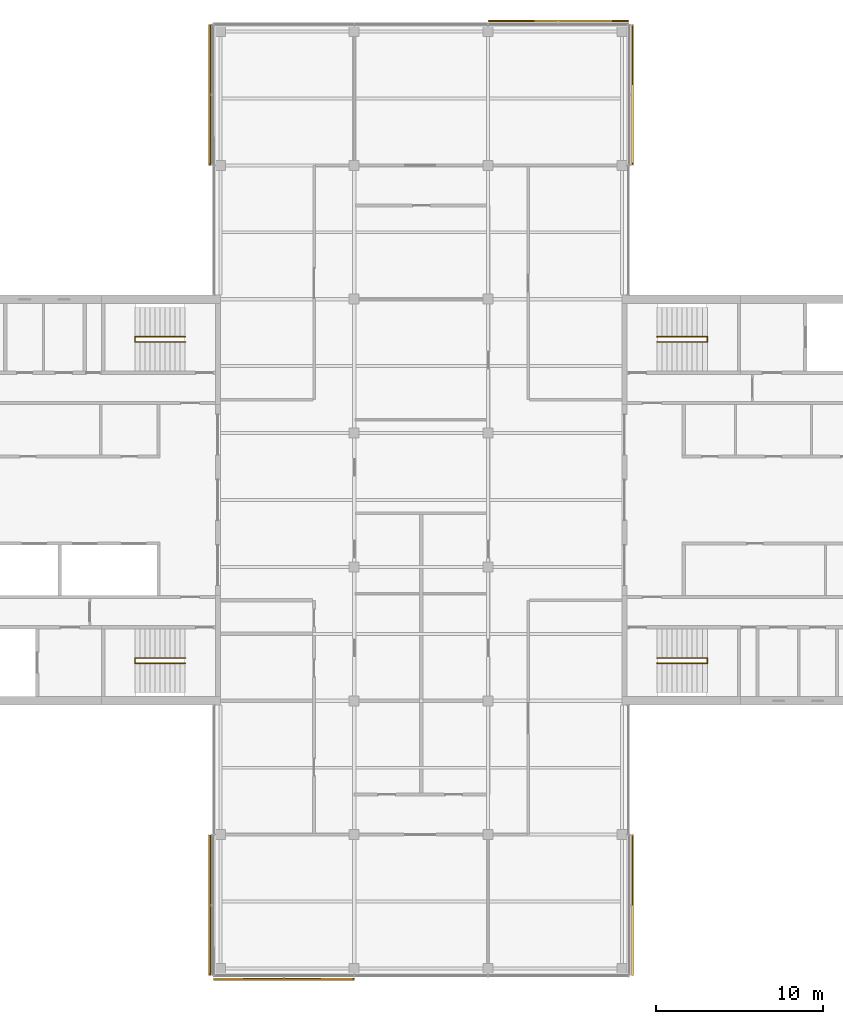
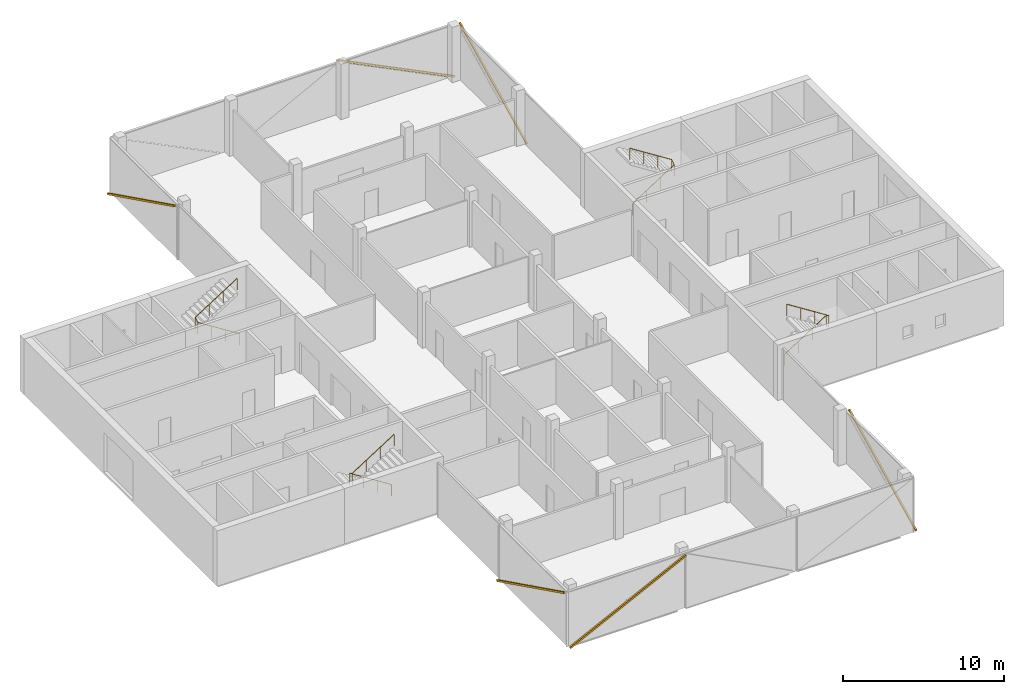
# One storey, part 15 of 15: 6 shading devices, 4 railings, 6 elements without a shape of their own.
"""IFC4 building model written with IfcOpenShell, lengths in metres."""

import ifcopenshell
import ifcopenshell.guid

model = None  # the IFC model being written
_history = None  # IfcOwnerHistory: only IFC2X3 demands one
_inside = {}  # id of a spatial element -> (the spatial element, [elements in it])
_under = {}  # id of a project, library or spatial element -> (it, [spatial elements below it])
_declared = {}  # id of a project -> (the project, [libraries it declares])
_typed = {}  # id of a type object -> (the type object, [elements of that type])
_made_of = {}  # id of a material, layer set ... -> (it, [elements and type objects made of it])


def new_model(schema):
    """Start an empty IFC model of exactly this schema.

    Asked for "IFC4X3", IfcOpenShell would pick the latest addendum, in which some entities
    have other attributes; the version numbers below select the first issue.
    IFC2X3 requires an IfcOwnerHistory on every rooted entity: one is made here for all.
    """
    global model, _history
    if schema == "IFC4X3":
        model = ifcopenshell.file(schema_version=(4, 3, 0, 0))
    else:
        model = ifcopenshell.file(schema=schema)
    _inside.clear()
    _under.clear()
    _declared.clear()
    _typed.clear()
    _made_of.clear()
    _history = None
    if model.schema == "IFC2X3":
        org = make("IfcOrganization", Name="unknown")
        user = make(
            "IfcPersonAndOrganization",
            ThePerson=make("IfcPerson", FamilyName="unknown"),
            TheOrganization=org,
        )
        app = make(
            "IfcApplication",
            ApplicationDeveloper=org,
            Version="unknown",
            ApplicationFullName="unknown",
            ApplicationIdentifier="unknown",
        )
        _history = make(
            "IfcOwnerHistory",
            OwningUser=user,
            OwningApplication=app,
            ChangeAction="ADDED",
            CreationDate=0,
        )
    return model


def make(cls, **values):
    """One entity of the class cls with the attributes given. An attribute that is None is left unset."""
    return model.create_entity(
        cls, **{name: value for name, value in values.items() if value is not None}
    )


def rooted(cls, **values):
    """An entity with a GlobalId (a new one), such as an element, a storey or a relation."""
    return make(cls, GlobalId=ifcopenshell.guid.new(), OwnerHistory=_history, **values)


def si_unit(unit_type, name, prefix=None):
    """IfcSIUnit, for example si_unit("LENGTHUNIT", "METRE", prefix="MILLI")."""
    return make("IfcSIUnit", UnitType=unit_type, Prefix=prefix, Name=name)


def assignment(units):
    """IfcUnitAssignment: the units of a project."""
    return None if units is None else make("IfcUnitAssignment", Units=units)


def point(xyz):
    """IfcCartesianPoint."""
    return None if xyz is None else make("IfcCartesianPoint", Coordinates=xyz)


def direction(xyz):
    """IfcDirection."""
    return None if xyz is None else make("IfcDirection", DirectionRatios=xyz)


def frame(location, z_axis=None, x_axis=None):
    """IfcAxis2Placement3D, a coordinate frame: its origin and axes. An axis left out is left unset."""
    return make(
        "IfcAxis2Placement3D",
        Location=point(location),
        Axis=direction(z_axis),
        RefDirection=direction(x_axis),
    )


def frame_2d(location, x_axis=None):
    """IfcAxis2Placement2D, a coordinate frame in the plane: its origin and x axis."""
    return make(
        "IfcAxis2Placement2D", Location=point(location), RefDirection=direction(x_axis)
    )


def origin():
    """The frame at (0, 0, 0) with its axes left unset."""
    return frame((0.0, 0.0, 0.0))


def origin_2d():
    """The frame at (0, 0) in the plane with its x axis left unset."""
    return frame_2d((0.0, 0.0))


def place(relative_to, where):
    """IfcLocalPlacement: puts the frame where relative to a parent placement (None: the world)."""
    return make(
        "IfcLocalPlacement", PlacementRelTo=relative_to, RelativePlacement=where
    )


def context(
    kind, dimensions, precision=None, world=None, true_north=None, identifier=None
):
    """IfcGeometricRepresentationContext, for example the 3D "Model" context."""
    return make(
        "IfcGeometricRepresentationContext",
        ContextIdentifier=identifier,
        ContextType=kind,
        CoordinateSpaceDimension=dimensions,
        Precision=precision,
        WorldCoordinateSystem=world,
        TrueNorth=true_north,
    )


def subcontext(parent, identifier, kind, view, scale=None):
    """IfcGeometricRepresentationSubContext, for example "Body" below "Model"."""
    return make(
        "IfcGeometricRepresentationSubContext",
        ContextIdentifier=identifier,
        ContextType=kind,
        ParentContext=parent,
        TargetScale=scale,
        TargetView=view,
    )


def project(units=None, contexts=None):
    """IfcProject with its units and contexts."""
    return rooted(
        "IfcProject",
        Name="project",
        RepresentationContexts=contexts,
        UnitsInContext=assignment(units),
    )


def spatial(cls, under=None, at=None, **own):
    """A site, building, storey or space (cls), placed at a placement, below another one or the project."""
    s = rooted(cls, ObjectPlacement=at, **own)
    if under is not None:
        _under.setdefault(under.id(), (under, []))[1].append(s)
    return s


def profile(cls, at=None, kind="AREA", **sizes):
    """A parametric profile (cls). Its sizes go by their IFC names, for example OverallWidth=200.0."""
    return make(cls, ProfileType=kind, Position=at, **sizes)


def rectangle(**sizes):
    """IfcRectangleProfileDef."""
    return profile("IfcRectangleProfileDef", **sizes)


def circle(**sizes):
    """IfcCircleProfileDef."""
    return profile("IfcCircleProfileDef", **sizes)


def extrude(swept, where, along, depth):
    """IfcExtrudedAreaSolid: the profile swept, set in the frame where, extruded along a direction by depth."""
    return make(
        "IfcExtrudedAreaSolid",
        SweptArea=swept,
        Position=where,
        ExtrudedDirection=direction(along),
        Depth=depth,
    )


def shape(context_of_items, identifier, shape_type, items):
    """IfcShapeRepresentation: the items that make up one representation, for example the "Body"."""
    return make(
        "IfcShapeRepresentation",
        ContextOfItems=context_of_items,
        RepresentationIdentifier=identifier,
        RepresentationType=shape_type,
        Items=items,
    )


def material(Name=None, Category=None):
    """IfcMaterial."""
    return make("IfcMaterial", Name=Name, Category=Category)


def material_profile(
    of_material, cross_section, Name=None, Category=None, Priority=None
):
    """IfcMaterialProfile: a cross section and its material."""
    return make(
        "IfcMaterialProfile",
        Name=Name,
        Material=of_material,
        Profile=cross_section,
        Priority=Priority,
        Category=Category,
    )


def profile_set(profiles, Name=None, composite=None):
    """IfcMaterialProfileSet."""
    return make(
        "IfcMaterialProfileSet",
        Name=Name,
        MaterialProfiles=profiles,
        CompositeProfile=composite,
    )


def made_of(thing, what):
    """Note that an element or type object is made of a material, layer set ...; save() writes the relation."""
    if what is not None:
        _made_of.setdefault(what.id(), (what, []))[1].append(thing)
    return thing


def type_object(cls, material=None, **own):
    """A type object (cls), such as IfcWallType, which elements share."""
    return made_of(rooted(cls, **own), material)


def element(
    cls,
    number,
    at=None,
    inside=None,
    cuts=None,
    type_object=None,
    material=None,
    context=None,
    identifier="Body",
    shape_type=None,
    held_by="IfcProductDefinitionShape",
    body=None,
    shapes=None,
    **own,
):
    """One element of the class cls, such as IfcWall. Its Tag is "e" and its number.

    at: its placement. inside: the storey or other place that contains it. cuts: it is an
    opening in that element (IfcRelVoidsElement). A single representation is given by context,
    identifier, shape_type and body (its items); several are given by shapes. held_by: the class
    of the entity that holds the representations. save() writes the other relations.
    """
    e = rooted(cls, Tag="e%d" % number, ObjectPlacement=at, **own)
    if body is not None:
        shapes = [shape(context, identifier, shape_type, body)]
    if shapes is not None:
        e.Representation = make(held_by, Representations=shapes)
    if inside is not None:
        _inside.setdefault(inside.id(), (inside, []))[1].append(e)
    if cuts is not None:
        rooted(
            "IfcRelVoidsElement", RelatingBuildingElement=cuts, RelatedOpeningElement=e
        )
    if type_object is not None:
        _typed.setdefault(type_object.id(), (type_object, []))[1].append(e)
    return made_of(e, material)


def aggregate(whole, parts):
    """IfcRelAggregates: a whole, such as a stair, and the parts it consists of."""
    return rooted("IfcRelAggregates", RelatingObject=whole, RelatedObjects=parts)


def save(model, path):
    """Write the relations noted so far, then the file.

    IfcRelAggregates (storeys below a building ...), IfcRelContainedInSpatialStructure (elements
    in a storey), IfcRelDefinesByType, IfcRelAssociatesMaterial and IfcRelDeclares: one each for
    every whole, place, type object, material and project.
    """
    for whole, parts in _under.values():
        aggregate(whole, parts)
    for where, things in _inside.values():
        rooted(
            "IfcRelContainedInSpatialStructure",
            RelatedElements=things,
            RelatingStructure=where,
        )
    for kind, things in _typed.values():
        rooted("IfcRelDefinesByType", RelatedObjects=things, RelatingType=kind)
    for what, things in _made_of.values():
        rooted("IfcRelAssociatesMaterial", RelatedObjects=things, RelatingMaterial=what)
    for by, libraries in _declared.values():
        rooted("IfcRelDeclares", RelatingContext=by, RelatedDefinitions=libraries)
    model.write(path)


model = new_model("IFC4")

# Units and contexts
model_context = context("Model", 3, precision=1e-05, world=origin(), true_north=direction((0.0, 1.0)))
body_context = subcontext(model_context, "Body", "Model", "MODEL_VIEW")
ifc_project = project(units=[si_unit("LENGTHUNIT", "METRE"), si_unit("AREAUNIT", "SQUARE_METRE"), si_unit("VOLUMEUNIT", "CUBIC_METRE"), si_unit("PLANEANGLEUNIT", "RADIAN"), si_unit("MASSUNIT", "GRAM", prefix="KILO")], contexts=[model_context])

# Site, building, storey
site_placement = place(None, origin())
site = spatial("IfcSite", under=ifc_project, at=site_placement, CompositionType="ELEMENT")
building_placement = place(site_placement, origin())
building = spatial("IfcBuilding", under=site, at=building_placement, Name="Crosswind Convention Tower", CompositionType="ELEMENT")
storey_placement = place(building_placement, frame((0.0, 0.0, 315.5)))
storey = spatial("IfcBuildingStorey", under=building, at=storey_placement, Name="L68", CompositionType="ELEMENT", Elevation=315.5)

# Railings
ifc_material_1 = material(Name="Stainless steel", Category="steel")
railing_type = type_object("IfcRailingType", Name="Stair handrail 900", PredefinedType="HANDRAIL", material=ifc_material_1)
railing_1_placement = place(storey_placement, frame((139.10009765625, 109.43994140625, 0.19091796875)))
element("IfcRailing", 1, at=railing_1_placement, inside=storey, type_object=railing_type, Name="Stair ST1 handrail L68", PredefinedType="HANDRAIL", context=body_context, shape_type="SweptSolid", body=[
    extrude(circle(Radius=0.02392578125, at=origin_2d()), frame((0.0, 0.0, 0.8759765625), z_axis=(0.843650179428, 0.0, 0.536893261973), x_axis=(0.0, 1.0, 0.0)), (0.0, 0.0, 1.0), 3.555908203125),
    extrude(circle(Radius=0.02392578125, at=origin_2d()), frame((3.0, 0.0, 2.78515625), z_axis=(0.0, 0.858819504967, 0.512278301208), x_axis=(-1.0, 0.0, 0.0)), (0.0, 0.0, 1.0), 0.372802734375),
    extrude(circle(Radius=0.02392578125, at=origin_2d()), frame((3.0, 0.320068359375, 2.97607421875), z_axis=(-0.843681277094, 0.0, 0.536844393359), x_axis=(0.0, -1.0, 0.0)), (0.0, 0.0, 1.0), 3.555908203125),
    extrude(circle(Radius=0.02099609375, at=origin_2d()), origin(), (0.0, 0.0, 1.0), 0.851806640625),
    extrude(circle(Radius=0.02099609375, at=origin_2d()), frame((1.0, 0.0, 0.636474609375)), (0.0, 0.0, 1.0), 0.851806640625),
    extrude(circle(Radius=0.02099609375, at=origin_2d()), frame((2.0, 0.0, 1.272705078125)), (0.0, 0.0, 1.0), 0.851806640625),
    extrude(circle(Radius=0.02099609375, at=origin_2d()), frame((3.0, 0.0, 1.9091796875)), (0.0, 0.0, 1.0), 0.851806640625),
    extrude(circle(Radius=0.02099609375, at=origin_2d()), frame((3.0, 0.320068359375, 2.10009765625)), (0.0, 0.0, 1.0), 0.851806640625),
    extrude(circle(Radius=0.02099609375, at=origin_2d()), frame((2.0, 0.320068359375, 2.736328125)), (0.0, 0.0, 1.0), 0.851806640625),
    extrude(circle(Radius=0.02099609375, at=origin_2d()), frame((1.0, 0.320068359375, 3.372802734375)), (0.0, 0.0, 1.0), 0.851806640625),
    extrude(circle(Radius=0.02099609375, at=origin_2d()), frame((0.0, 0.320068359375, 4.009033203125)), (0.0, 0.0, 1.0), 0.851806640625),
])
railing_2_placement = place(storey_placement, frame((139.10009765625, 90.56005859375, 0.19091796875)))
element("IfcRailing", 2, at=railing_2_placement, inside=storey, type_object=railing_type, Name="Stair ST2 handrail L68", PredefinedType="HANDRAIL", context=body_context, shape_type="SweptSolid", body=[
    extrude(circle(Radius=0.02392578125, at=origin_2d()), frame((0.0, 0.0, 0.8759765625), z_axis=(0.843650179428, 0.0, 0.536893261973), x_axis=(0.0, 1.0, 0.0)), (0.0, 0.0, 1.0), 3.555908203125),
    extrude(circle(Radius=0.02392578125, at=origin_2d()), frame((3.0, 0.0, 2.78515625), z_axis=(0.0, -0.858819504967, 0.512278301208), x_axis=(1.0, 0.0, 0.0)), (0.0, 0.0, 1.0), 0.372802734375),
    extrude(circle(Radius=0.02392578125, at=origin_2d()), frame((3.0, -0.320068359375, 2.97607421875), z_axis=(-0.843681277094, 0.0, 0.536844393359), x_axis=(0.0, -1.0, 0.0)), (0.0, 0.0, 1.0), 3.555908203125),
    extrude(circle(Radius=0.02099609375, at=origin_2d()), origin(), (0.0, 0.0, 1.0), 0.851806640625),
    extrude(circle(Radius=0.02099609375, at=origin_2d()), frame((1.0, 0.0, 0.636474609375)), (0.0, 0.0, 1.0), 0.851806640625),
    extrude(circle(Radius=0.02099609375, at=origin_2d()), frame((2.0, 0.0, 1.272705078125)), (0.0, 0.0, 1.0), 0.851806640625),
    extrude(circle(Radius=0.02099609375, at=origin_2d()), frame((3.0, 0.0, 1.9091796875)), (0.0, 0.0, 1.0), 0.851806640625),
    extrude(circle(Radius=0.02099609375, at=origin_2d()), frame((3.0, -0.320068359375, 2.10009765625)), (0.0, 0.0, 1.0), 0.851806640625),
    extrude(circle(Radius=0.02099609375, at=origin_2d()), frame((2.0, -0.320068359375, 2.736328125)), (0.0, 0.0, 1.0), 0.851806640625),
    extrude(circle(Radius=0.02099609375, at=origin_2d()), frame((1.0, -0.320068359375, 3.372802734375)), (0.0, 0.0, 1.0), 0.851806640625),
    extrude(circle(Radius=0.02099609375, at=origin_2d()), frame((0.0, -0.320068359375, 4.009033203125)), (0.0, 0.0, 1.0), 0.851806640625),
])
railing_3_placement = place(storey_placement, frame((110.89990234375, 90.56005859375, 0.19091796875)))
element("IfcRailing", 3, at=railing_3_placement, inside=storey, type_object=railing_type, Name="Stair ST3 handrail L68", PredefinedType="HANDRAIL", context=body_context, shape_type="SweptSolid", body=[
    extrude(circle(Radius=0.02392578125, at=origin_2d()), frame((0.0, 0.0, 0.8759765625), z_axis=(-0.843650179428, 0.0, 0.536893261973), x_axis=(0.0, -1.0, 0.0)), (0.0, 0.0, 1.0), 3.555908203125),
    extrude(circle(Radius=0.02392578125, at=origin_2d()), frame((-3.0, 0.0, 2.78515625), z_axis=(0.0, -0.858819504967, 0.512278301208), x_axis=(1.0, 0.0, 0.0)), (0.0, 0.0, 1.0), 0.372802734375),
    extrude(circle(Radius=0.02392578125, at=origin_2d()), frame((-3.0, -0.320068359375, 2.97607421875), z_axis=(0.843681277094, 0.0, 0.536844393359), x_axis=(0.0, 1.0, 0.0)), (0.0, 0.0, 1.0), 3.555908203125),
    extrude(circle(Radius=0.02099609375, at=origin_2d()), origin(), (0.0, 0.0, 1.0), 0.851806640625),
    extrude(circle(Radius=0.02099609375, at=origin_2d()), frame((-1.0, 0.0, 0.636474609375)), (0.0, 0.0, 1.0), 0.851806640625),
    extrude(circle(Radius=0.02099609375, at=origin_2d()), frame((-2.0, 0.0, 1.272705078125)), (0.0, 0.0, 1.0), 0.851806640625),
    extrude(circle(Radius=0.02099609375, at=origin_2d()), frame((-3.0, 0.0, 1.9091796875)), (0.0, 0.0, 1.0), 0.851806640625),
    extrude(circle(Radius=0.02099609375, at=origin_2d()), frame((-3.0, -0.320068359375, 2.10009765625)), (0.0, 0.0, 1.0), 0.851806640625),
    extrude(circle(Radius=0.02099609375, at=origin_2d()), frame((-2.0, -0.320068359375, 2.736328125)), (0.0, 0.0, 1.0), 0.851806640625),
    extrude(circle(Radius=0.02099609375, at=origin_2d()), frame((-1.0, -0.320068359375, 3.372802734375)), (0.0, 0.0, 1.0), 0.851806640625),
    extrude(circle(Radius=0.02099609375, at=origin_2d()), frame((0.0, -0.320068359375, 4.009033203125)), (0.0, 0.0, 1.0), 0.851806640625),
])
railing_4_placement = place(storey_placement, frame((110.89990234375, 109.43994140625, 0.19091796875)))
element("IfcRailing", 4, at=railing_4_placement, inside=storey, type_object=railing_type, Name="Stair ST4 handrail L68", PredefinedType="HANDRAIL", context=body_context, shape_type="SweptSolid", body=[
    extrude(circle(Radius=0.02392578125, at=origin_2d()), frame((0.0, 0.0, 0.8759765625), z_axis=(-0.843650179428, 0.0, 0.536893261973), x_axis=(0.0, -1.0, 0.0)), (0.0, 0.0, 1.0), 3.555908203125),
    extrude(circle(Radius=0.02392578125, at=origin_2d()), frame((-3.0, 0.0, 2.78515625), z_axis=(0.0, 0.858819504967, 0.512278301208), x_axis=(-1.0, 0.0, 0.0)), (0.0, 0.0, 1.0), 0.372802734375),
    extrude(circle(Radius=0.02392578125, at=origin_2d()), frame((-3.0, 0.320068359375, 2.97607421875), z_axis=(0.843681277094, 0.0, 0.536844393359), x_axis=(0.0, 1.0, 0.0)), (0.0, 0.0, 1.0), 3.555908203125),
    extrude(circle(Radius=0.02099609375, at=origin_2d()), origin(), (0.0, 0.0, 1.0), 0.851806640625),
    extrude(circle(Radius=0.02099609375, at=origin_2d()), frame((-1.0, 0.0, 0.636474609375)), (0.0, 0.0, 1.0), 0.851806640625),
    extrude(circle(Radius=0.02099609375, at=origin_2d()), frame((-2.0, 0.0, 1.272705078125)), (0.0, 0.0, 1.0), 0.851806640625),
    extrude(circle(Radius=0.02099609375, at=origin_2d()), frame((-3.0, 0.0, 1.9091796875)), (0.0, 0.0, 1.0), 0.851806640625),
    extrude(circle(Radius=0.02099609375, at=origin_2d()), frame((-3.0, 0.320068359375, 2.10009765625)), (0.0, 0.0, 1.0), 0.851806640625),
    extrude(circle(Radius=0.02099609375, at=origin_2d()), frame((-2.0, 0.320068359375, 2.736328125)), (0.0, 0.0, 1.0), 0.851806640625),
    extrude(circle(Radius=0.02099609375, at=origin_2d()), frame((-1.0, 0.320068359375, 3.372802734375)), (0.0, 0.0, 1.0), 0.851806640625),
    extrude(circle(Radius=0.02099609375, at=origin_2d()), frame((0.0, 0.320068359375, 4.009033203125)), (0.0, 0.0, 1.0), 0.851806640625),
])

# Curtain wall, shading device
ifc_material_2 = material(Name="Aluminium unitised curtain wall", Category="aluminium")
curtain_wall_type = type_object("IfcCurtainWallType", Name="OFFICE UNITISED WALL 220", PredefinedType="USERDEFINED", material=ifc_material_2)
curtain_wall_1_placement = place(storey_placement, origin())
curtain_wall_1 = element("IfcCurtainWall", 5, at=curtain_wall_1_placement, inside=storey, type_object=curtain_wall_type, Name="CW3 L68 N-E 1", ObjectType="UNITISED", PredefinedType="USERDEFINED")
ifc_material_3 = material(Name="Extruded terracotta", Category="masonry")
ifc_material_profile = material_profile(ifc_material_3, rectangle(XDim=0.110107421875, YDim=0.1298828125, at=origin_2d()), Name="TC 110X130")
ifc_profile_set = profile_set([ifc_material_profile], Name="Extruded terracotta")
shading_device_type = type_object("IfcShadingDeviceType", Name="TERRACOTTA BAGUETTE 130X110", PredefinedType="USERDEFINED", material=ifc_profile_set)
shading_device_1_placement = place(storey_placement, frame((137.631103515625, 120.034912109375, -0.300048828125), z_axis=(0.0, 0.896136229865, 0.443779063863), x_axis=(-1.0, 0.0, 0.0)))
shading_device_1 = element("IfcShadingDevice", 6, at=shading_device_1_placement, type_object=shading_device_type, Name="CW3 terracotta baguette 1", ObjectType="BAGUETTE", PredefinedType="USERDEFINED", context=body_context, shape_type="SweptSolid", body=[
    extrude(rectangle(XDim=0.110107421875, YDim=0.1298828125, at=origin_2d()), origin(), (0.0, 0.0, 1.0), 9.306640625),
])
aggregate(curtain_wall_1, [shading_device_1])

curtain_wall_2_placement = place(storey_placement, origin())
curtain_wall_2 = element("IfcCurtainWall", 7, at=curtain_wall_2_placement, inside=storey, type_object=curtain_wall_type, Name="CW3 L68 N-TIP 1", ObjectType="UNITISED", PredefinedType="USERDEFINED")
shading_device_2_placement = place(storey_placement, frame((137.375, 128.631103515625, -0.300048828125), z_axis=(-0.896136229865, 0.0, 0.443779063863), x_axis=(0.0, -1.0, 0.0)))
shading_device_2 = element("IfcShadingDevice", 8, at=shading_device_2_placement, type_object=shading_device_type, Name="CW3 terracotta baguette 1", ObjectType="BAGUETTE", PredefinedType="USERDEFINED", context=body_context, shape_type="SweptSolid", body=[
    extrude(rectangle(XDim=0.110107421875, YDim=0.1298828125, at=origin_2d()), origin(), (0.0, 0.0, 1.0), 9.306640625),
])
aggregate(curtain_wall_2, [shading_device_2])

curtain_wall_3_placement = place(storey_placement, origin())
curtain_wall_3 = element("IfcCurtainWall", 9, at=curtain_wall_3_placement, inside=storey, type_object=curtain_wall_type, Name="CW3 L68 N-W 1", ObjectType="UNITISED", PredefinedType="USERDEFINED")
shading_device_3_placement = place(storey_placement, frame((112.368896484375, 128.375, -0.300048828125), z_axis=(0.0, -0.896136229865, 0.443779063863), x_axis=(1.0, 0.0, 0.0)))
shading_device_3 = element("IfcShadingDevice", 10, at=shading_device_3_placement, type_object=shading_device_type, Name="CW3 terracotta baguette 1", ObjectType="BAGUETTE", PredefinedType="USERDEFINED", context=body_context, shape_type="SweptSolid", body=[
    extrude(rectangle(XDim=0.110107421875, YDim=0.1298828125, at=origin_2d()), origin(), (0.0, 0.0, 1.0), 9.306640625),
])
aggregate(curtain_wall_3, [shading_device_3])

curtain_wall_4_placement = place(storey_placement, origin())
curtain_wall_4 = element("IfcCurtainWall", 11, at=curtain_wall_4_placement, inside=storey, type_object=curtain_wall_type, Name="CW3 L68 S-W 1", ObjectType="UNITISED", PredefinedType="USERDEFINED")
shading_device_4_placement = place(storey_placement, frame((112.368896484375, 79.965087890625, -0.300048828125), z_axis=(0.0, -0.896136229865, 0.443779063863), x_axis=(1.0, 0.0, 0.0)))
shading_device_4 = element("IfcShadingDevice", 12, at=shading_device_4_placement, type_object=shading_device_type, Name="CW3 terracotta baguette 1", ObjectType="BAGUETTE", PredefinedType="USERDEFINED", context=body_context, shape_type="SweptSolid", body=[
    extrude(rectangle(XDim=0.110107421875, YDim=0.1298828125, at=origin_2d()), origin(), (0.0, 0.0, 1.0), 9.306640625),
])
aggregate(curtain_wall_4, [shading_device_4])

curtain_wall_5_placement = place(storey_placement, origin())
curtain_wall_5 = element("IfcCurtainWall", 13, at=curtain_wall_5_placement, inside=storey, type_object=curtain_wall_type, Name="CW3 L68 S-TIP 1", ObjectType="UNITISED", PredefinedType="USERDEFINED")
shading_device_5_placement = place(storey_placement, frame((112.625, 71.368896484375, -0.300048828125), z_axis=(0.896136229865, 0.0, 0.443779063863), x_axis=(0.0, 1.0, 0.0)))
shading_device_5 = element("IfcShadingDevice", 14, at=shading_device_5_placement, type_object=shading_device_type, Name="CW3 terracotta baguette 1", ObjectType="BAGUETTE", PredefinedType="USERDEFINED", context=body_context, shape_type="SweptSolid", body=[
    extrude(rectangle(XDim=0.110107421875, YDim=0.1298828125, at=origin_2d()), origin(), (0.0, 0.0, 1.0), 9.306640625),
])
aggregate(curtain_wall_5, [shading_device_5])

curtain_wall_6_placement = place(storey_placement, origin())
curtain_wall_6 = element("IfcCurtainWall", 15, at=curtain_wall_6_placement, inside=storey, type_object=curtain_wall_type, Name="CW3 L68 S-E 1", ObjectType="UNITISED", PredefinedType="USERDEFINED")
shading_device_6_placement = place(storey_placement, frame((137.631103515625, 71.625, -0.300048828125), z_axis=(0.0, 0.896136229865, 0.443779063863), x_axis=(-1.0, 0.0, 0.0)))
shading_device_6 = element("IfcShadingDevice", 16, at=shading_device_6_placement, type_object=shading_device_type, Name="CW3 terracotta baguette 1", ObjectType="BAGUETTE", PredefinedType="USERDEFINED", context=body_context, shape_type="SweptSolid", body=[
    extrude(rectangle(XDim=0.110107421875, YDim=0.1298828125, at=origin_2d()), origin(), (0.0, 0.0, 1.0), 9.306640625),
])
aggregate(curtain_wall_6, [shading_device_6])

save(model, "model.ifc")
